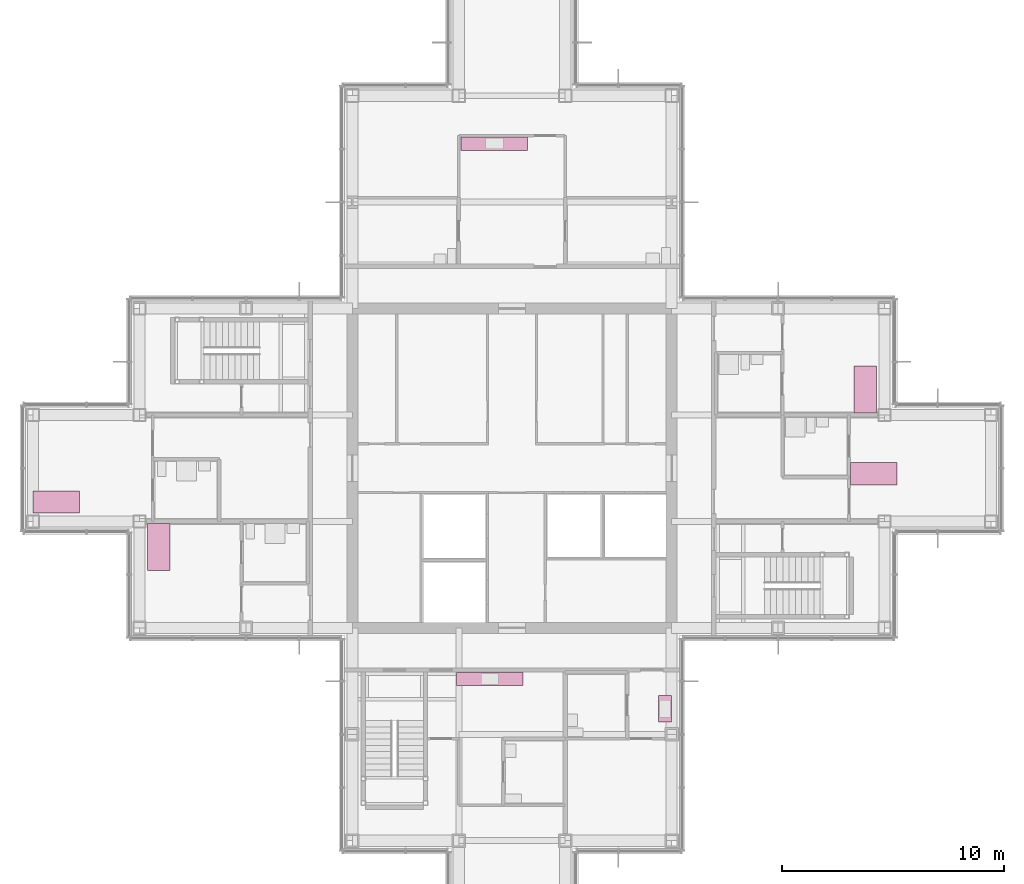
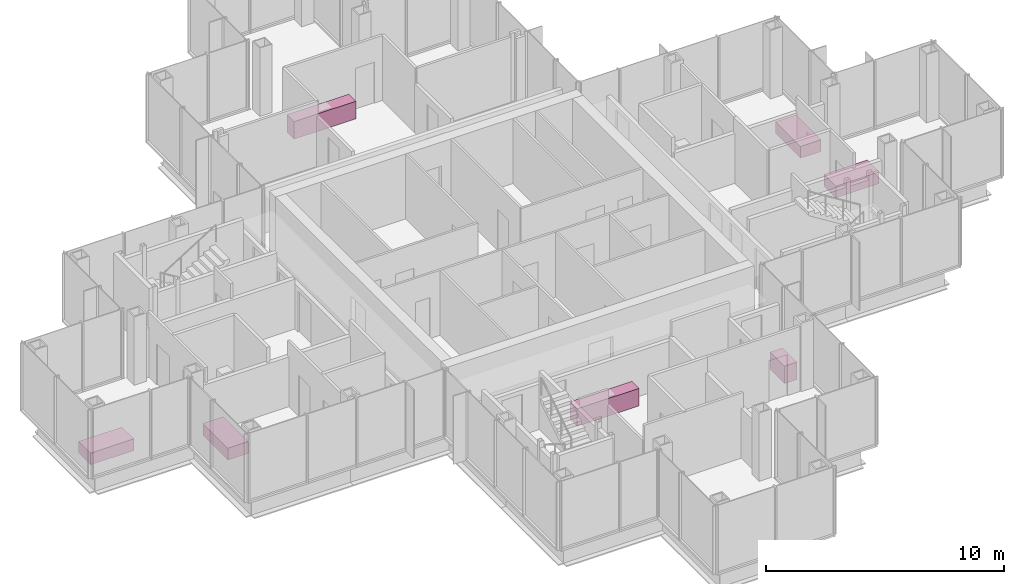
# One storey, part 17 of 17: 7 furniture elements.
"""IFC4 building model written with IfcOpenShell, lengths in metres."""

from ifc_helpers import new_model, si_unit, direction, frame, origin, origin_2d, place, context, subcontext, project, spatial, rectangle, extrude, material, type_object, element, save


model = new_model("IFC4")

# Units and contexts
model_context = context("Model", 3, precision=1e-05, world=origin(), true_north=direction((0.0, 1.0)))
body_context = subcontext(model_context, "Body", "Model", "MODEL_VIEW")
ifc_project = project(units=[si_unit("LENGTHUNIT", "METRE"), si_unit("AREAUNIT", "SQUARE_METRE"), si_unit("VOLUMEUNIT", "CUBIC_METRE"), si_unit("PLANEANGLEUNIT", "RADIAN"), si_unit("MASSUNIT", "GRAM", prefix="KILO")], contexts=[model_context])

# Site, building, storey
site_placement = place(None, origin())
site = spatial("IfcSite", under=ifc_project, at=site_placement, CompositionType="ELEMENT")
building_placement = place(site_placement, origin())
building = spatial("IfcBuilding", under=site, at=building_placement, Name="Kvirike Care Tower", CompositionType="ELEMENT")
storey_placement = place(building_placement, frame((0.0, 0.0, 158.5)))
storey = spatial("IfcBuildingStorey", under=building, at=storey_placement, Name="L43", CompositionType="ELEMENT", Elevation=158.5)

# Furniture
ifc_material_1 = material(Name="Steel frame", Category="steel")
furniture_type_1 = type_object("IfcFurnitureType", Name="CARE BED 1000 x 2100", AssemblyPlace="FACTORY", PredefinedType="BED", material=ifc_material_1)
for number, where, z_axis, x_axis, name in (
    (1, (1.052001953125, 34.469970703125, 0.0), (0.0, 0.0, 1.0), (0.0, 1.0, 0.0), "Care bed L43-005"),
    (2, (5.669921875, 32.447998046875, 0.0), (0.0, 0.0, 1.0), (1.0, 0.0, 0.0), "Care bed L43-008"),
    (3, (37.912109375, 35.75, 0.0), (0.0, 0.0, 1.0), (0.0, 1.0, 0.0), "Care bed L43-028"),
    (4, (37.530029296875, 39.552001953125, 0.0), (0.0, 0.0, 1.0), (-1.0, 0.0, 0.0), "Care bed L43-031"),
):
    element("IfcFurniture", number, at=place(storey_placement, frame(where, z_axis=z_axis, x_axis=x_axis)), inside=storey, type_object=furniture_type_1, Name=name, PredefinedType="BED", context=body_context, shape_type="SweptSolid", body=[
        extrude(rectangle(XDim=1.0, YDim=2.10009765625, at=origin_2d()), origin(), (0.0, 0.0, 1.0), 0.60009765625),
    ])
ifc_material_2 = material(Name="Laminated board", Category="wood")
furniture_type_2 = type_object("IfcFurnitureType", Name="KITCHEN UNIT RUN 600", AssemblyPlace="FACTORY", PredefinedType="USERDEFINED", material=ifc_material_2)
furniture_1_placement = place(storey_placement, frame((20.60009765625, 26.498046875, 0.0), z_axis=(0.0, 0.0, 1.0), x_axis=(1.0, 0.0, 0.0)))
element("IfcFurniture", 5, at=furniture_1_placement, inside=storey, type_object=furniture_type_2, Name="Kitchen unit run L43-015", ObjectType="KITCHEN UNIT", PredefinedType="USERDEFINED", context=body_context, shape_type="SweptSolid", body=[
    extrude(rectangle(XDim=3.0, YDim=0.60009765625, at=origin_2d()), origin(), (0.0, 0.0, 1.0), 0.89990234375),
])
furniture_2_placement = place(storey_placement, frame((28.498046875, 25.14990234375, 0.0), z_axis=(0.0, 0.0, 1.0), x_axis=(0.0, -1.0, 0.0)))
element("IfcFurniture", 6, at=furniture_2_placement, inside=storey, type_object=furniture_type_2, Name="Kitchen unit run L43-018", ObjectType="KITCHEN UNIT", PredefinedType="USERDEFINED", context=body_context, shape_type="SweptSolid", body=[
    extrude(rectangle(XDim=1.199951171875, YDim=0.60009765625, at=origin_2d()), origin(), (0.0, 0.0, 1.0), 0.89990234375),
])
furniture_3_placement = place(storey_placement, frame((20.81005859375, 50.637939453125, 0.0), z_axis=(0.0, 0.0, 1.0), x_axis=(1.0, 0.0, 0.0)))
element("IfcFurniture", 7, at=furniture_3_placement, inside=storey, type_object=furniture_type_2, Name="Kitchen unit run L43-023", ObjectType="KITCHEN UNIT", PredefinedType="USERDEFINED", context=body_context, shape_type="SweptSolid", body=[
    extrude(rectangle(XDim=3.0, YDim=0.60009765625, at=origin_2d()), origin(), (0.0, 0.0, 1.0), 0.89990234375),
])

save(model, "model.ifc")
